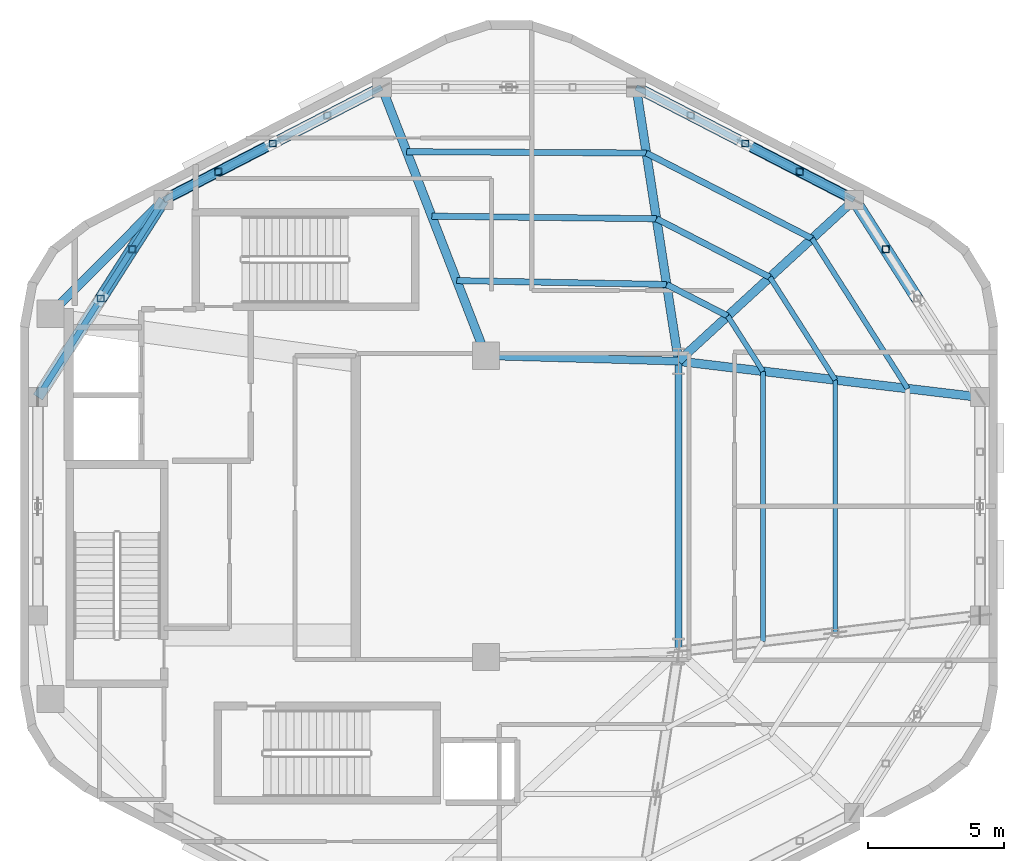
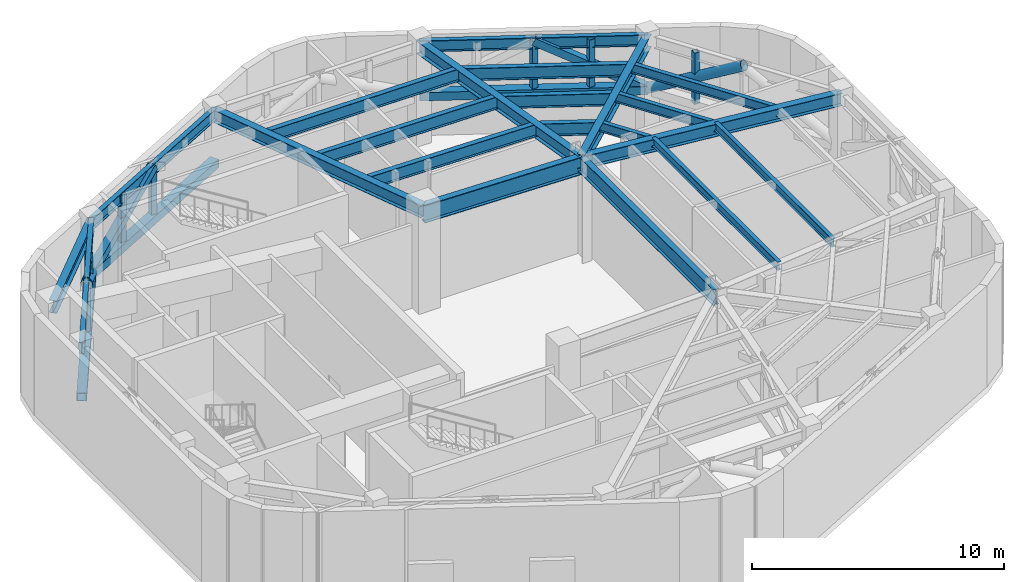
# One storey, part 3 of 8: 21 beams, 14 members.
"""IFC4 building model written with IfcOpenShell, lengths in metres."""

from ifc_helpers import new_model, si_unit, direction, frame, origin, origin_2d, place, context, subcontext, project, spatial, hollow_rectangle, hollow_circle, i_section, extrude, material, material_profile, profile_set, type_object, element, save


model = new_model("IFC4")

# Units and contexts
model_context = context("Model", 3, precision=1e-05, world=origin(), true_north=direction((0.0, 1.0)))
body_context = subcontext(model_context, "Body", "Model", "MODEL_VIEW")
ifc_project = project(units=[si_unit("LENGTHUNIT", "METRE"), si_unit("AREAUNIT", "SQUARE_METRE"), si_unit("VOLUMEUNIT", "CUBIC_METRE"), si_unit("PLANEANGLEUNIT", "RADIAN"), si_unit("MASSUNIT", "GRAM", prefix="KILO"), si_unit("THERMODYNAMICTEMPERATUREUNIT", "KELVIN"), si_unit("POWERUNIT", "WATT")], contexts=[model_context])

# Site, building, storey
site_placement = place(None, origin())
site = spatial("IfcSite", under=ifc_project, at=site_placement, CompositionType="ELEMENT")
building_placement = place(site_placement, origin())
building = spatial("IfcBuilding", under=site, at=building_placement, Name="Skarre Station Tower", CompositionType="ELEMENT")
storey_placement = place(building_placement, frame((0.0, 0.0, 279.89990234375)))
storey = spatial("IfcBuildingStorey", under=building, at=storey_placement, Name="L76", CompositionType="ELEMENT", Elevation=279.89990234375)

# Beams
ifc_material_1 = material(Name="Steel ASTM A992 Grade 50", Category="steel")
ifc_material_profile_1 = material_profile(ifc_material_1, i_section(OverallWidth=0.323974609375, OverallDepth=0.611083984375, WebThickness=0.012939453125, FlangeThickness=0.01904296875, at=origin_2d()), Name="Steel ASTM A992 Grade 50")
ifc_profile_set_1 = profile_set([ifc_material_profile_1], Name="Steel ASTM A992 Grade 50")
beam_type_1 = type_object("IfcBeamType", Name="Steel Beam W24X104", PredefinedType="BEAM", material=ifc_profile_set_1)
beam_1_placement = place(storey_placement, frame((39.449951171875, 29.35009765625, 4.585205078125), z_axis=(0.736547671183, 0.676385635621, 0.0), x_axis=(-0.676385635621, 0.736547671183, 0.0)))
element("IfcBeam", 1, at=beam_1_placement, inside=storey, type_object=beam_type_1, Name="L76 Radial Floor Girder F0C1", PredefinedType="BEAM", context=body_context, shape_type="SweptSolid", body=[
    extrude(i_section(OverallWidth=0.323974609375, OverallDepth=0.611083984375, WebThickness=0.012939453125, FlangeThickness=0.01904296875, at=origin_2d()), origin(), (0.0, 0.0, 1.0), 8.793701171875),
])
beam_2_placement = place(storey_placement, frame((39.449951171875, 29.35009765625, 4.585205078125), z_axis=(-0.152789762931, 0.988258715288, 0.0), x_axis=(-0.988258715288, -0.152789762931, 0.0)))
element("IfcBeam", 2, at=beam_2_placement, inside=storey, type_object=beam_type_1, Name="L76 Radial Floor Girder F0C2", PredefinedType="BEAM", context=body_context, shape_type="SweptSolid", body=[
    extrude(i_section(OverallWidth=0.323974609375, OverallDepth=0.611083984375, WebThickness=0.012939453125, FlangeThickness=0.01904296875, at=origin_2d()), origin(), (0.0, 0.0, 1.0), 10.216796875),
])
beam_3_placement = place(storey_placement, frame((32.35009765625, 29.550048828125, 4.585205078125), z_axis=(-0.361651478681, 0.932313363611, 0.0), x_axis=(-0.932313363611, -0.361651478681, 0.0)))
element("IfcBeam", 3, at=beam_3_placement, inside=storey, type_object=beam_type_1, Name="L76 Radial Floor Girder F1C1", PredefinedType="BEAM", context=body_context, shape_type="SweptSolid", body=[
    extrude(i_section(OverallWidth=0.323974609375, OverallDepth=0.611083984375, WebThickness=0.012939453125, FlangeThickness=0.01904296875, at=origin_2d()), origin(), (0.0, 0.0, 1.0), 10.615478515625),
])
beam_4_placement = place(storey_placement, frame((16.300048828125, 31.10009765625, 4.585205078125), z_axis=(0.704979413242, 0.709227768002, 0.0), x_axis=(-0.709227768002, 0.704979413242, 0.0)))
element("IfcBeam", 4, at=beam_4_placement, inside=storey, type_object=beam_type_1, Name="L76 Radial Floor Girder F1C2", PredefinedType="BEAM", context=body_context, shape_type="SweptSolid", body=[
    extrude(i_section(OverallWidth=0.323974609375, OverallDepth=0.611083984375, WebThickness=0.012939453125, FlangeThickness=0.01904296875, at=origin_2d()), origin(), (0.0, 0.0, 1.0), 5.919189453125),
])
beam_5_placement = place(storey_placement, frame((39.449951171875, 29.35009765625, 4.585205078125), z_axis=(0.99292393128, -0.118752122891, 0.0), x_axis=(0.118752122891, 0.99292393128, 0.0)))
element("IfcBeam", 5, at=beam_5_placement, inside=storey, type_object=beam_type_1, Name="L76 Radial Floor Girder F5C2", PredefinedType="BEAM", context=body_context, shape_type="SweptSolid", body=[
    extrude(i_section(OverallWidth=0.323974609375, OverallDepth=0.611083984375, WebThickness=0.012939453125, FlangeThickness=0.01904296875, at=origin_2d()), origin(), (0.0, 0.0, 1.0), 11.192138671875),
])
ifc_material_profile_2 = material_profile(ifc_material_1, i_section(OverallWidth=0.26806640625, OverallDepth=0.77001953125, WebThickness=0.01611328125, FlangeThickness=0.02490234375, at=origin_2d()), Name="Steel ASTM A992 Grade 50")
ifc_profile_set_2 = profile_set([ifc_material_profile_2], Name="Steel ASTM A992 Grade 50")
beam_type_2 = type_object("IfcBeamType", Name="Steel Beam W30X132", PredefinedType="BEAM", material=ifc_profile_set_2)
beam_6_placement = place(storey_placement, frame((39.449951171875, 18.64990234375, 4.505126953125), z_axis=(0.0, 1.0, 0.0), x_axis=(-1.0, 0.0, 0.0)))
element("IfcBeam", 6, at=beam_6_placement, inside=storey, type_object=beam_type_2, Name="L76 Atrium East Edge Girder", PredefinedType="BEAM", context=body_context, shape_type="SweptSolid", body=[
    extrude(i_section(OverallWidth=0.26806640625, OverallDepth=0.77001953125, WebThickness=0.01611328125, FlangeThickness=0.02490234375, at=origin_2d()), origin(), (0.0, 0.0, 1.0), 10.7001953125),
])
ifc_material_profile_3 = material_profile(ifc_material_1, i_section(OverallWidth=0.2919921875, OverallDepth=0.85888671875, WebThickness=0.01708984375, FlangeThickness=0.031005859375, at=origin_2d()), Name="Steel ASTM A992 Grade 50")
ifc_profile_set_3 = profile_set([ifc_material_profile_3], Name="Steel ASTM A992 Grade 50")
beam_type_3 = type_object("IfcBeamType", Name="Steel Beam W33X169", PredefinedType="BEAM", material=ifc_profile_set_3)
beam_7_placement = place(storey_placement, frame((32.35009765625, 29.550048828125, 4.461181640625), z_axis=(0.999603666405, -0.028151556095, 0.0), x_axis=(0.028151556095, 0.999603666405, 0.0)))
element("IfcBeam", 7, at=beam_7_placement, inside=storey, type_object=beam_type_3, Name="L76 Atrium North Edge Girder", PredefinedType="BEAM", context=body_context, shape_type="SweptSolid", body=[
    extrude(i_section(OverallWidth=0.2919921875, OverallDepth=0.85888671875, WebThickness=0.01708984375, FlangeThickness=0.031005859375, at=origin_2d()), origin(), (0.0, 0.0, 1.0), 7.102783203125),
])
ifc_material_profile_4 = material_profile(ifc_material_1, i_section(OverallWidth=0.177978515625, OverallDepth=0.403076171875, WebThickness=0.008056640625, FlangeThickness=0.010986328125, at=origin_2d()), Name="Steel ASTM A992 Grade 50")
ifc_profile_set_4 = profile_set([ifc_material_profile_4], Name="Steel ASTM A992 Grade 50")
beam_type_4 = type_object("IfcBeamType", Name="Steel Joist W16X36", PredefinedType="JOIST", material=ifc_profile_set_4)
beam_8_placement = place(storey_placement, frame((42.56201171875, 19.02197265625, 4.689208984375), z_axis=(0.0, 1.0, 0.0), x_axis=(-1.0, 0.0, 0.0)))
element("IfcBeam", 8, at=beam_8_placement, inside=storey, type_object=beam_type_4, Name="L76 Auxiliary Composite Joist 21", PredefinedType="JOIST", context=body_context, shape_type="SweptSolid", body=[
    extrude(i_section(OverallWidth=0.177978515625, OverallDepth=0.403076171875, WebThickness=0.008056640625, FlangeThickness=0.010986328125, at=origin_2d()), origin(), (0.0, 0.0, 1.0), 9.9560546875),
])
beam_9_placement = place(storey_placement, frame((45.22900390625, 19.341064453125, 4.689208984375), z_axis=(0.0, 1.0, 0.0), x_axis=(-1.0, 0.0, 0.0)))
element("IfcBeam", 9, at=beam_9_placement, inside=storey, type_object=beam_type_4, Name="L76 Auxiliary Composite Joist 22", PredefinedType="JOIST", context=body_context, shape_type="SweptSolid", body=[
    extrude(i_section(OverallWidth=0.177978515625, OverallDepth=0.403076171875, WebThickness=0.008056640625, FlangeThickness=0.010986328125, at=origin_2d()), origin(), (0.0, 0.0, 1.0), 9.31787109375),
])
ifc_material_profile_5 = material_profile(ifc_material_1, i_section(OverallWidth=0.19091796875, OverallDepth=0.45703125, WebThickness=0.009033203125, FlangeThickness=0.013916015625, at=origin_2d()), Name="Steel ASTM A992 Grade 50")
ifc_profile_set_5 = profile_set([ifc_material_profile_5], Name="Steel ASTM A992 Grade 50")
beam_type_5 = type_object("IfcBeamType", Name="Steel Joist W18X50", PredefinedType="JOIST", material=ifc_profile_set_5)
beam_10_placement = place(storey_placement, frame((42.56201171875, 28.97802734375, 4.662109375), z_axis=(-0.537437848622, 0.843303361116, 0.0), x_axis=(-0.843303361116, -0.537437848622, 0.0)))
element("IfcBeam", 10, at=beam_10_placement, inside=storey, type_object=beam_type_5, Name="L76 Auxiliary Composite Joist 24", PredefinedType="JOIST", context=body_context, shape_type="SweptSolid", body=[
    extrude(i_section(OverallWidth=0.19091796875, OverallDepth=0.45703125, WebThickness=0.009033203125, FlangeThickness=0.013916015625, at=origin_2d()), origin(), (0.0, 0.0, 1.0), 2.415283203125),
])
beam_11_placement = place(storey_placement, frame((45.22900390625, 28.658935546875, 4.662109375), z_axis=(-0.53731551376, 0.843381312737, 0.0), x_axis=(-0.843381312737, -0.53731551376, 0.0)))
element("IfcBeam", 11, at=beam_11_placement, inside=storey, type_object=beam_type_5, Name="L76 Auxiliary Composite Joist 25", PredefinedType="JOIST", context=body_context, shape_type="SweptSolid", body=[
    extrude(i_section(OverallWidth=0.19091796875, OverallDepth=0.45703125, WebThickness=0.009033203125, FlangeThickness=0.013916015625, at=origin_2d()), origin(), (0.0, 0.0, 1.0), 4.48681640625),
])
beam_12_placement = place(storey_placement, frame((47.89599609375, 28.340087890625, 4.662109375), z_axis=(-0.537292232804, 0.843396144507, 0.0), x_axis=(-0.843396144507, -0.537292232804, 0.0)))
element("IfcBeam", 12, at=beam_12_placement, inside=storey, type_object=beam_type_5, Name="L76 Auxiliary Composite Joist 26", PredefinedType="JOIST", context=body_context, shape_type="SweptSolid", body=[
    extrude(i_section(OverallWidth=0.19091796875, OverallDepth=0.45703125, WebThickness=0.009033203125, FlangeThickness=0.013916015625, at=origin_2d()), origin(), (0.0, 0.0, 1.0), 6.556884765625),
])
ifc_material_profile_6 = material_profile(ifc_material_1, i_section(OverallWidth=0.22802734375, OverallDepth=0.60791015625, WebThickness=0.010986328125, FlangeThickness=0.01708984375, at=origin_2d()), Name="Steel ASTM A992 Grade 50")
ifc_profile_set_6 = profile_set([ifc_material_profile_6], Name="Steel ASTM A992 Grade 50")
beam_type_6 = type_object("IfcBeamType", Name="Steel Joist W24X76", PredefinedType="JOIST", material=ifc_profile_set_6)
beam_13_placement = place(storey_placement, frame((41.263916015625, 31.014892578125, 4.586181640625), z_axis=(-0.888569970054, 0.458741112522, 0.0), x_axis=(-0.458741112522, -0.888569970054, 0.0)))
element("IfcBeam", 13, at=beam_13_placement, inside=storey, type_object=beam_type_6, Name="L76 Secondary Floor Joist 1", PredefinedType="JOIST", context=body_context, shape_type="SweptSolid", body=[
    extrude(i_section(OverallWidth=0.22802734375, OverallDepth=0.60791015625, WebThickness=0.010986328125, FlangeThickness=0.01708984375, at=origin_2d()), origin(), (0.0, 0.0, 1.0), 2.533203125),
])
beam_14_placement = place(storey_placement, frame((42.818115234375, 32.443115234375, 4.586181640625), z_axis=(-0.88866637077, 0.458554338614, 0.0), x_axis=(-0.458554338614, -0.88866637077, 0.0)))
element("IfcBeam", 14, at=beam_14_placement, inside=storey, type_object=beam_type_6, Name="L76 Secondary Floor Joist 2", PredefinedType="JOIST", context=body_context, shape_type="SweptSolid", body=[
    extrude(i_section(OverallWidth=0.22802734375, OverallDepth=0.60791015625, WebThickness=0.010986328125, FlangeThickness=0.01708984375, at=origin_2d()), origin(), (0.0, 0.0, 1.0), 4.703857421875),
])
beam_15_placement = place(storey_placement, frame((44.373046875, 33.8701171875, 4.586181640625), z_axis=(-0.888578636, 0.458724326414, 0.0), x_axis=(-0.458724326414, -0.888578636, 0.0)))
element("IfcBeam", 15, at=beam_15_placement, inside=storey, type_object=beam_type_6, Name="L76 Secondary Floor Joist 3", PredefinedType="JOIST", context=body_context, shape_type="SweptSolid", body=[
    extrude(i_section(OverallWidth=0.22802734375, OverallDepth=0.60791015625, WebThickness=0.010986328125, FlangeThickness=0.01708984375, at=origin_2d()), origin(), (0.0, 0.0, 1.0), 6.875244140625),
])
beam_16_placement = place(storey_placement, frame((39.012939453125, 32.177001953125, 4.586181640625), z_axis=(-0.999826787326, 0.018611699149, 0.0), x_axis=(-0.018611699149, -0.999826787326, 0.0)))
element("IfcBeam", 16, at=beam_16_placement, inside=storey, type_object=beam_type_6, Name="L76 Secondary Floor Joist 4", PredefinedType="JOIST", context=body_context, shape_type="SweptSolid", body=[
    extrude(i_section(OverallWidth=0.22802734375, OverallDepth=0.60791015625, WebThickness=0.010986328125, FlangeThickness=0.01708984375, at=origin_2d()), origin(), (0.0, 0.0, 1.0), 7.7392578125),
])
beam_17_placement = place(storey_placement, frame((38.637939453125, 34.60009765625, 4.586181640625), z_axis=(-0.999932931577, 0.011581552035, 0.0), x_axis=(-0.011581552035, -0.999932931577, 0.0)))
element("IfcBeam", 17, at=beam_17_placement, inside=storey, type_object=beam_type_6, Name="L76 Secondary Floor Joist 5", PredefinedType="JOIST", context=body_context, shape_type="SweptSolid", body=[
    extrude(i_section(OverallWidth=0.22802734375, OverallDepth=0.60791015625, WebThickness=0.010986328125, FlangeThickness=0.01708984375, at=origin_2d()), origin(), (0.0, 0.0, 1.0), 8.284423828125),
])
beam_18_placement = place(storey_placement, frame((38.263916015625, 37.02392578125, 4.586181640625), z_axis=(-0.999985173054, 0.005445518551, 0.0), x_axis=(-0.005445518551, -0.999985173054, 0.0)))
element("IfcBeam", 18, at=beam_18_placement, inside=storey, type_object=beam_type_6, Name="L76 Secondary Floor Joist 6", PredefinedType="JOIST", context=body_context, shape_type="SweptSolid", body=[
    extrude(i_section(OverallWidth=0.22802734375, OverallDepth=0.60791015625, WebThickness=0.010986328125, FlangeThickness=0.01708984375, at=origin_2d()), origin(), (0.0, 0.0, 1.0), 8.832275390625),
])
ifc_material_profile_7 = material_profile(ifc_material_1, i_section(OverallWidth=0.214111328125, OverallDepth=0.549072265625, WebThickness=0.014892578125, FlangeThickness=0.02392578125, at=origin_2d()), Name="Steel ASTM A992 Grade 50")
ifc_profile_set_7 = profile_set([ifc_material_profile_7], Name="Steel ASTM A992 Grade 50")
beam_type_7 = type_object("IfcBeamType", Name="Steel Spandrel W21X93", PredefinedType="SPANDREL", material=ifc_profile_set_7)
for number, where, z_axis, x_axis, name in (
    (19, (45.927001953125, 35.298095703125, 4.6162109375), (-0.888610011727, 0.458663544505, 0.0), (-0.458663544505, -0.888610011727, 0.0), "L76 Facet Spandrel Beam 1"),
    (20, (28.510986328125, 39.447021484375, 4.6162109375), (-0.888610011727, -0.458663544505, 0.0), (0.458663544505, -0.888610011727, 0.0), "L76 Facet Spandrel Beam 3"),
):
    element("IfcBeam", number, at=place(storey_placement, frame(where, z_axis=z_axis, x_axis=x_axis)), inside=storey, type_object=beam_type_7, Name=name, PredefinedType="SPANDREL", context=body_context, shape_type="SweptSolid", body=[
        extrude(i_section(OverallWidth=0.214111328125, OverallDepth=0.549072265625, WebThickness=0.014892578125, FlangeThickness=0.02392578125, at=origin_2d()), origin(), (0.0, 0.0, 1.0), 9.045654296875),
    ])
beam_19_placement = place(storey_placement, frame((20.472900390625, 35.298095703125, 4.6162109375), z_axis=(-0.537296523663, -0.843393410965, 0.0), x_axis=(0.843393410965, -0.537296523663, 0.0)))
element("IfcBeam", 21, at=beam_19_placement, inside=storey, type_object=beam_type_7, Name="L76 Facet Spandrel Beam 4", PredefinedType="SPANDREL", context=body_context, shape_type="SweptSolid", body=[
    extrude(i_section(OverallWidth=0.214111328125, OverallDepth=0.549072265625, WebThickness=0.014892578125, FlangeThickness=0.02392578125, at=origin_2d()), origin(), (0.0, 0.0, 1.0), 8.62841796875),
])

# Members
ifc_material_2 = material(Name="Steel ASTM A500 Grade C", Category="steel")
ifc_material_profile_8 = material_profile(ifc_material_2, hollow_circle(Radius=0.228515625, WallThickness=0.02001953125, at=origin_2d()), Name="Steel ASTM A500 Grade C")
ifc_profile_set_8 = profile_set([ifc_material_profile_8], Name="Steel ASTM A500 Grade C")
member_type_1 = type_object("IfcMemberType", Name="Steel Truss Brace CHS457X20", PredefinedType="BRACE", material=ifc_profile_set_8)
for number, where, z_axis, x_axis, name in (
    (22, (20.472900390625, 35.298095703125, 2.25), (-0.465355681613, -0.73043294369, 0.499911796584), (0.843381726394, -0.537314864474, 0.0), "L76 Belt Truss Chevron Diagonal 4A"),
    (23, (45.927001953125, 35.298095703125, 2.25), (0.465394081411, -0.730416282378, 0.499900393503), (0.843356079444, 0.537355118395, 0.0), "L76 Belt Truss Chevron Diagonal 12B"),
):
    element("IfcMember", number, at=place(storey_placement, frame(where, z_axis=z_axis, x_axis=x_axis)), inside=storey, type_object=member_type_1, Name=name, PredefinedType="BRACE", context=body_context, shape_type="SweptSolid", body=[
        extrude(hollow_circle(Radius=0.228515625, WallThickness=0.02001953125, at=origin_2d()), origin(), (0.0, 0.0, 1.0), 4.98095703125),
    ])
ifc_material_profile_9 = material_profile(ifc_material_2, hollow_rectangle(XDim=0.35009765625, YDim=0.35009765625, WallThickness=0.02001953125, at=origin_2d()), Name="Steel ASTM A500 Grade C")
ifc_profile_set_9 = profile_set([ifc_material_profile_9], Name="Steel ASTM A500 Grade C")
member_type_2 = type_object("IfcMemberType", Name="Steel Truss Brace HSS350X350X20", PredefinedType="BRACE", material=ifc_profile_set_9)
for number, where, z_axis, x_axis, name in (
    (24, (45.927001953125, 35.298095703125, 2.25), (-0.778408196627, 0.401876519447, 0.482261280367), (-0.458748785547, -0.888566008668, 0.0), "L76 Belt Truss Chevron Diagonal 1A"),
    (25, (20.472900390625, 35.298095703125, 2.25), (0.778408196627, 0.401876519447, 0.482261280367), (-0.458748785547, 0.888566008668, 0.0), "L76 Belt Truss Chevron Diagonal 3B"),
):
    element("IfcMember", number, at=place(storey_placement, frame(where, z_axis=z_axis, x_axis=x_axis)), inside=storey, type_object=member_type_2, Name=name, PredefinedType="BRACE", context=body_context, shape_type="SweptSolid", body=[
        extrude(hollow_rectangle(XDim=0.35009765625, YDim=0.35009765625, WallThickness=0.02001953125, at=origin_2d()), origin(), (0.0, 0.0, 1.0), 5.1630859375),
    ])
ifc_material_profile_10 = material_profile(ifc_material_2, hollow_rectangle(XDim=0.39990234375, YDim=0.39990234375, WallThickness=0.02197265625, at=origin_2d()), Name="Steel ASTM A500 Grade C")
ifc_profile_set_10 = profile_set([ifc_material_profile_10], Name="Steel ASTM A500 Grade C")
member_type_3 = type_object("IfcMemberType", Name="Steel Truss Chord HSS400X400X22", PredefinedType="CHORD", material=ifc_profile_set_10)
for number, where, z_axis, x_axis, name in (
    (26, (45.927001953125, 35.298095703125, 2.25), (-0.888610011727, 0.458663544505, 0.0), (-0.458663544505, -0.888610011727, 0.0), "L76 Belt Truss Bottom Chord 1"),
    (27, (28.510986328125, 39.447021484375, 2.25), (-0.888610011727, -0.458663544505, 0.0), (0.458663544505, -0.888610011727, 0.0), "L76 Belt Truss Bottom Chord 3"),
):
    element("IfcMember", number, at=place(storey_placement, frame(where, z_axis=z_axis, x_axis=x_axis)), inside=storey, type_object=member_type_3, Name=name, PredefinedType="CHORD", context=body_context, shape_type="SweptSolid", body=[
        extrude(hollow_rectangle(XDim=0.39990234375, YDim=0.39990234375, WallThickness=0.02197265625, at=origin_2d()), origin(), (0.0, 0.0, 1.0), 9.045654296875),
    ])
member_placement = place(storey_placement, frame((20.472900390625, 35.298095703125, 2.25), z_axis=(-0.537296523663, -0.843393410965, 0.0), x_axis=(0.843393410965, -0.537296523663, 0.0)))
element("IfcMember", 28, at=member_placement, inside=storey, type_object=member_type_3, Name="L76 Belt Truss Bottom Chord 4", PredefinedType="CHORD", context=body_context, shape_type="SweptSolid", body=[
    extrude(hollow_rectangle(XDim=0.39990234375, YDim=0.39990234375, WallThickness=0.02197265625, at=origin_2d()), origin(), (0.0, 0.0, 1.0), 8.62841796875),
])
ifc_material_profile_11 = material_profile(ifc_material_2, hollow_rectangle(XDim=0.25, YDim=0.25, WallThickness=0.01611328125, at=origin_2d()), Name="Steel ASTM A500 Grade C")
ifc_profile_set_11 = profile_set([ifc_material_profile_11], Name="Steel ASTM A500 Grade C")
member_type_4 = type_object("IfcMemberType", Name="Steel Truss Strut HSS250X250X16", PredefinedType="STRUT", material=ifc_profile_set_11)
for number, where, z_axis, x_axis, name in (
    (29, (43.91796875, 36.3349609375, 2.25), (0.0, 0.0, 1.0), (1.0, 0.0, 0.0), "L76 Belt Truss Web Post 1-1"),
    (30, (41.907958984375, 37.373046875, 2.25), (0.0, 0.0, 1.0), (1.0, 0.0, 0.0), "L76 Belt Truss Web Post 1-2"),
    (31, (24.491943359375, 37.373046875, 2.25), (0.0, 0.0, 1.0), (1.0, 0.0, 0.0), "L76 Belt Truss Web Post 3-2"),
    (32, (22.48291015625, 36.3349609375, 2.25), (0.0, 0.0, 1.0), (1.0, 0.0, 0.0), "L76 Belt Truss Web Post 3-3"),
    (33, (19.31396484375, 33.47900390625, 2.25), (0.0, 0.0, 1.0), (1.0, 0.0, 0.0), "L76 Belt Truss Web Post 4-1"),
    (34, (18.155029296875, 31.659912109375, 2.25), (0.0, 0.0, 1.0), (1.0, 0.0, 0.0), "L76 Belt Truss Web Post 4-2"),
    (35, (47.0859375, 33.47900390625, 2.25), (0.0, 0.0, 1.0), (1.0, 0.0, 0.0), "L76 Belt Truss Web Post 12-3"),
):
    element("IfcMember", number, at=place(storey_placement, frame(where, z_axis=z_axis, x_axis=x_axis)), inside=storey, type_object=member_type_4, Name=name, PredefinedType="STRUT", context=body_context, shape_type="SweptSolid", body=[
        extrude(hollow_rectangle(XDim=0.25, YDim=0.25, WallThickness=0.01611328125, at=origin_2d()), origin(), (0.0, 0.0, 1.0), 2.489990234375),
    ])

save(model, "model.ifc")
